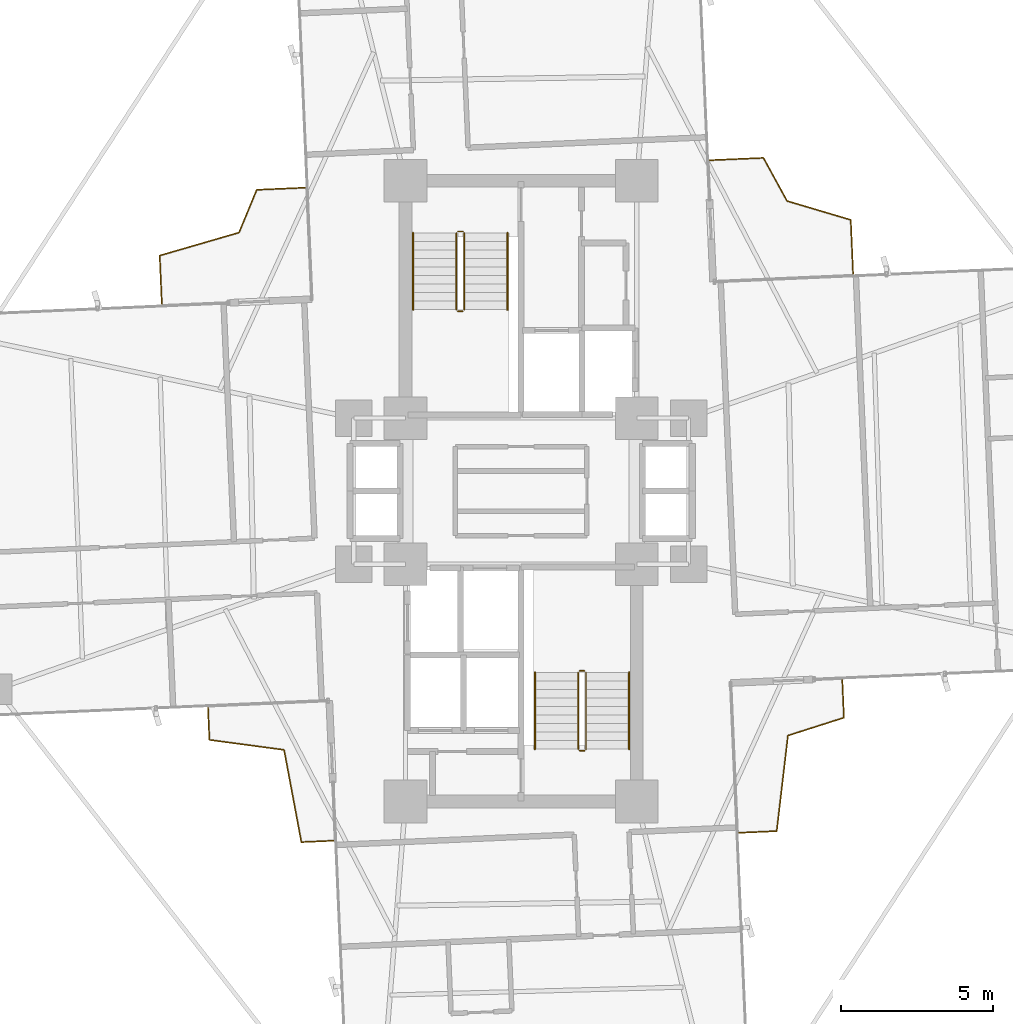
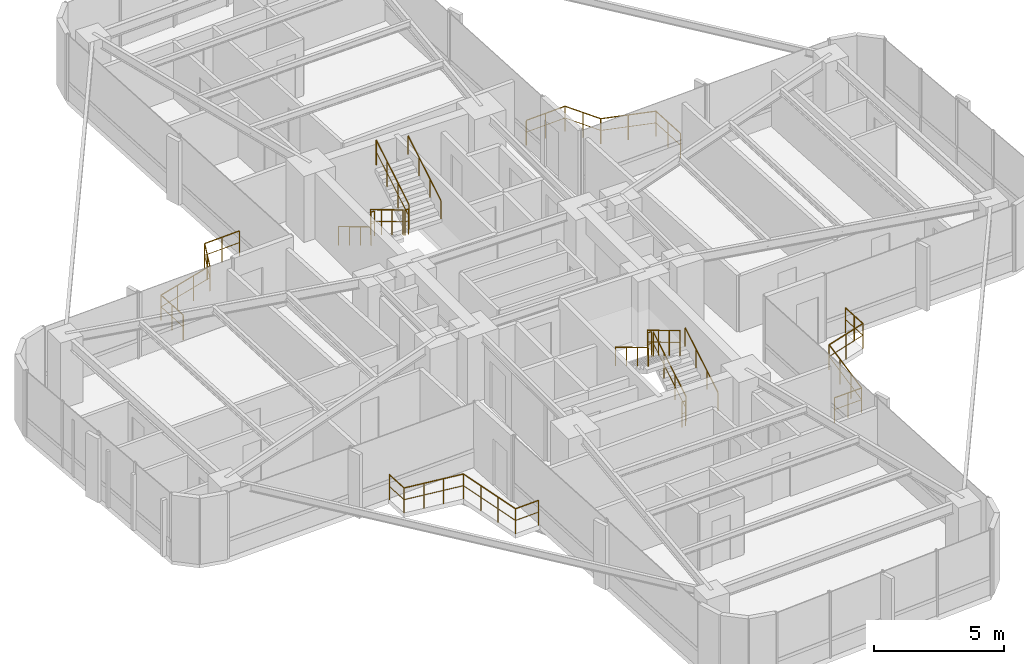
# One storey, part 26 of 26: 16 railings.
"""IFC4 building model written with IfcOpenShell, lengths in metres."""

from ifc_helpers import new_model, si_unit, direction, frame, origin, origin_2d, place, context, subcontext, project, spatial, circle, extrude, material, type_object, element, save


model = new_model("IFC4")

# Units and contexts
model_context = context("Model", 3, precision=1e-05, world=origin(), true_north=direction((0.0, 1.0)))
body_context = subcontext(model_context, "Body", "Model", "MODEL_VIEW")
ifc_project = project(units=[si_unit("LENGTHUNIT", "METRE"), si_unit("AREAUNIT", "SQUARE_METRE"), si_unit("VOLUMEUNIT", "CUBIC_METRE"), si_unit("PLANEANGLEUNIT", "RADIAN"), si_unit("MASSUNIT", "GRAM", prefix="KILO")], contexts=[model_context])

# Site, building, storey
site_placement = place(None, origin())
site = spatial("IfcSite", under=ifc_project, at=site_placement, CompositionType="ELEMENT")
building_placement = place(site_placement, origin())
building = spatial("IfcBuilding", under=site, at=building_placement, Name="Sahyath Konkavel Grand Hotel", CompositionType="ELEMENT")
storey_placement = place(building_placement, frame((0.0, 0.0, 124.85009765625)))
storey = spatial("IfcBuildingStorey", under=building, at=storey_placement, Name="L34", CompositionType="ELEMENT", Elevation=124.85009765625)

# Railings
ifc_material_1 = material(Name="Anodised Bronze Aluminium", Category="aluminium")
railing_type_1 = type_object("IfcRailingType", Name="RLG-BALC-1200", PredefinedType="GUARDRAIL", material=ifc_material_1)
railing_1_placement = place(storey_placement, frame((10.90673828125, 7.142578125, 0.0)))
element("IfcRailing", 1, at=railing_1_placement, inside=storey, type_object=railing_type_1, Name="L34 Winter-Garden Guard NE", PredefinedType="GUARDRAIL", context=body_context, shape_type="SweptSolid", body=[
    extrude(circle(Radius=0.02392578125, at=origin_2d()), frame((0.0, 0.001953125, 1.17578125), z_axis=(-0.043544864183, 0.999051472549, 0.0), x_axis=(-0.999051472549, -0.043544864183, 0.0)), (0.0, 0.0, 1.0), 1.767578125),
    extrude(circle(Radius=0.01416015625, at=origin_2d()), frame((0.0, 0.001953125, 0.6240234375), z_axis=(-0.043544864183, 0.999051472549, 0.0), x_axis=(-0.999051472549, -0.043544864183, 0.0)), (0.0, 0.0, 1.0), 1.767578125),
    extrude(circle(Radius=0.02392578125, at=origin_2d()), frame((-0.0791015625, 1.7705078125, 1.17578125), z_axis=(-0.95862875254, 0.284659296007, 0.0), x_axis=(-0.284659296007, -0.95862875254, 0.0)), (0.0, 0.0, 1.0), 2.1796875),
    extrude(circle(Radius=0.01416015625, at=origin_2d()), frame((-0.0791015625, 1.7705078125, 0.6240234375), z_axis=(-0.95862875254, 0.284659296007, 0.0), x_axis=(-0.284659296007, -0.95862875254, 0.0)), (0.0, 0.0, 1.0), 2.1796875),
    extrude(circle(Radius=0.02392578125, at=origin_2d()), frame((-2.17138671875, 2.393310546875, 1.17578125), z_axis=(-0.480070731667, 0.877229783236, 0.0), x_axis=(-0.877229783236, -0.480070731667, 0.0)), (0.0, 0.0, 1.0), 1.609619140625),
    extrude(circle(Radius=0.01416015625, at=origin_2d()), frame((-2.17138671875, 2.393310546875, 0.6240234375), z_axis=(-0.480070731667, 0.877229783236, 0.0), x_axis=(-0.877229783236, -0.480070731667, 0.0)), (0.0, 0.0, 1.0), 1.609619140625),
    extrude(circle(Radius=0.02392578125, at=origin_2d()), frame((-2.947021484375, 3.80712890625, 1.17578125), z_axis=(-0.999045468319, -0.043682401856, 0.0), x_axis=(0.043682401856, -0.999045468319, 0.0)), (0.0, 0.0, 1.0), 1.767822265625),
    extrude(circle(Radius=0.01416015625, at=origin_2d()), frame((-2.947021484375, 3.80712890625, 0.6240234375), z_axis=(-0.999045468319, -0.043682401856, 0.0), x_axis=(0.043682401856, -0.999045468319, 0.0)), (0.0, 0.0, 1.0), 1.767822265625),
    extrude(circle(Radius=0.02099609375, at=origin_2d()), origin(), (0.0, 0.0, 1.0), 1.15185546875),
    extrude(circle(Radius=0.02099609375, at=origin_2d()), frame((-0.03857421875, 0.885009765625, 0.0)), (0.0, 0.0, 1.0), 1.15185546875),
    extrude(circle(Radius=0.02099609375, at=origin_2d()), frame((-0.0771484375, 1.77001953125, 0.0)), (0.0, 0.0, 1.0), 1.15185546875),
    extrude(circle(Radius=0.02099609375, at=origin_2d()), frame((-1.123779296875, 2.080810546875, 0.0)), (0.0, 0.0, 1.0), 1.15185546875),
    extrude(circle(Radius=0.02099609375, at=origin_2d()), frame((-2.17041015625, 2.3916015625, 0.0)), (0.0, 0.0, 1.0), 1.15185546875),
    extrude(circle(Radius=0.02099609375, at=origin_2d()), frame((-2.5576171875, 3.099365234375, 0.0)), (0.0, 0.0, 1.0), 1.15185546875),
    extrude(circle(Radius=0.02099609375, at=origin_2d()), frame((-2.945068359375, 3.80712890625, 0.0)), (0.0, 0.0, 1.0), 1.15185546875),
    extrude(circle(Radius=0.02099609375, at=origin_2d()), frame((-3.830078125, 3.7685546875, 0.0)), (0.0, 0.0, 1.0), 1.15185546875),
    extrude(circle(Radius=0.02099609375, at=origin_2d()), frame((-4.715087890625, 3.729736328125, 0.0)), (0.0, 0.0, 1.0), 1.15185546875),
])
railing_2_placement = place(storey_placement, frame((-7.101806640625, 9.970703125, 0.0)))
element("IfcRailing", 2, at=railing_2_placement, inside=storey, type_object=railing_type_1, Name="L34 Winter-Garden Guard NW", PredefinedType="GUARDRAIL", context=body_context, shape_type="SweptSolid", body=[
    extrude(circle(Radius=0.02392578125, at=origin_2d()), frame((-0.001953125, 0.0, 1.17578125), z_axis=(-0.999048902276, -0.043603794106, 0.0), x_axis=(0.043603794106, -0.999048902276, 0.0)), (0.0, 0.0, 1.0), 1.586181640625),
    extrude(circle(Radius=0.01416015625, at=origin_2d()), frame((-0.001953125, 0.0, 0.6240234375), z_axis=(-0.999048902276, -0.043603794106, 0.0), x_axis=(0.043603794106, -0.999048902276, 0.0)), (0.0, 0.0, 1.0), 1.586181640625),
    extrude(circle(Radius=0.02392578125, at=origin_2d()), frame((-1.58935546875, -0.0712890625, 1.17578125), z_axis=(-0.381992632439, -0.924165368732, 0.0), x_axis=(0.924165368732, -0.381992632439, 0.0)), (0.0, 0.0, 1.0), 1.51708984375),
    extrude(circle(Radius=0.01416015625, at=origin_2d()), frame((-1.58935546875, -0.0712890625, 0.6240234375), z_axis=(-0.381992632439, -0.924165368732, 0.0), x_axis=(0.924165368732, -0.381992632439, 0.0)), (0.0, 0.0, 1.0), 1.51708984375),
    extrude(circle(Radius=0.02392578125, at=origin_2d()), frame((-2.171630859375, -1.4755859375, 1.17578125), z_axis=(-0.960406033655, -0.278604110737, 0.0), x_axis=(0.278604110737, -0.960406033655, 0.0)), (0.0, 0.0, 1.0), 2.7099609375),
    extrude(circle(Radius=0.01416015625, at=origin_2d()), frame((-2.171630859375, -1.4755859375, 0.6240234375), z_axis=(-0.960406033655, -0.278604110737, 0.0), x_axis=(0.278604110737, -0.960406033655, 0.0)), (0.0, 0.0, 1.0), 2.7099609375),
    extrude(circle(Radius=0.02392578125, at=origin_2d()), frame((-4.776123046875, -2.233154296875, 1.17578125), z_axis=(0.043603794106, -0.999048902276, 0.0), x_axis=(0.999048902276, 0.043603794106, 0.0)), (0.0, 0.0, 1.0), 1.586181640625),
    extrude(circle(Radius=0.01416015625, at=origin_2d()), frame((-4.776123046875, -2.233154296875, 0.6240234375), z_axis=(0.043603794106, -0.999048902276, 0.0), x_axis=(0.999048902276, 0.043603794106, 0.0)), (0.0, 0.0, 1.0), 1.586181640625),
    extrude(circle(Radius=0.02099609375, at=origin_2d()), origin(), (0.0, 0.0, 1.0), 1.15185546875),
    extrude(circle(Radius=0.02099609375, at=origin_2d()), frame((-0.79443359375, -0.03466796875, 0.0)), (0.0, 0.0, 1.0), 1.15185546875),
    extrude(circle(Radius=0.02099609375, at=origin_2d()), frame((-1.588623046875, -0.0693359375, 0.0)), (0.0, 0.0, 1.0), 1.15185546875),
    extrude(circle(Radius=0.02099609375, at=origin_2d()), frame((-1.879150390625, -0.772216796875, 0.0)), (0.0, 0.0, 1.0), 1.15185546875),
    extrude(circle(Radius=0.02099609375, at=origin_2d()), frame((-2.169677734375, -1.47509765625, 0.0)), (0.0, 0.0, 1.0), 1.15185546875),
    extrude(circle(Radius=0.02099609375, at=origin_2d()), frame((-3.03857421875, -1.72705078125, 0.0)), (0.0, 0.0, 1.0), 1.15185546875),
    extrude(circle(Radius=0.02099609375, at=origin_2d()), frame((-3.9072265625, -1.979248046875, 0.0)), (0.0, 0.0, 1.0), 1.15185546875),
    extrude(circle(Radius=0.02099609375, at=origin_2d()), frame((-4.776123046875, -2.231201171875, 0.0)), (0.0, 0.0, 1.0), 1.15185546875),
    extrude(circle(Radius=0.02099609375, at=origin_2d()), frame((-4.741455078125, -3.025390625, 0.0)), (0.0, 0.0, 1.0), 1.15185546875),
    extrude(circle(Radius=0.02099609375, at=origin_2d()), frame((-4.706787109375, -3.81982421875, 0.0)), (0.0, 0.0, 1.0), 1.15185546875),
])
railing_3_placement = place(storey_placement, frame((-10.29150390625, -7.11572265625, 0.0)))
element("IfcRailing", 3, at=railing_3_placement, inside=storey, type_object=railing_type_1, Name="L34 Winter-Garden Guard SW", PredefinedType="GUARDRAIL", context=body_context, shape_type="SweptSolid", body=[
    extrude(circle(Radius=0.02392578125, at=origin_2d()), frame((0.0, -0.001953125, 1.17578125), z_axis=(0.04374696985, -0.999042643048, 0.0), x_axis=(0.999042643048, 0.04374696985, 0.0)), (0.0, 0.0, 1.0), 1.056396484375),
    extrude(circle(Radius=0.01416015625, at=origin_2d()), frame((0.0, -0.001953125, 0.6240234375), z_axis=(0.04374696985, -0.999042643048, 0.0), x_axis=(0.999042643048, 0.04374696985, 0.0)), (0.0, 0.0, 1.0), 1.056396484375),
    extrude(circle(Radius=0.02392578125, at=origin_2d()), frame((0.04833984375, -1.0595703125, 1.17578125), z_axis=(0.991130264974, -0.132893934593, 0.0), x_axis=(0.132893934593, 0.991130264974, 0.0)), (0.0, 0.0, 1.0), 2.470703125),
    extrude(circle(Radius=0.01416015625, at=origin_2d()), frame((0.04833984375, -1.0595703125, 0.6240234375), z_axis=(0.991130264974, -0.132893934593, 0.0), x_axis=(0.132893934593, 0.991130264974, 0.0)), (0.0, 0.0, 1.0), 2.470703125),
    extrude(circle(Radius=0.02392578125, at=origin_2d()), frame((2.49951171875, -1.39013671875, 1.17578125), z_axis=(0.184345907514, -0.982861427864, 0.0), x_axis=(0.982861427864, 0.184345907514, 0.0)), (0.0, 0.0, 1.0), 3.0791015625),
    extrude(circle(Radius=0.01416015625, at=origin_2d()), frame((2.49951171875, -1.39013671875, 0.6240234375), z_axis=(0.184345907514, -0.982861427864, 0.0), x_axis=(0.982861427864, 0.184345907514, 0.0)), (0.0, 0.0, 1.0), 3.0791015625),
    extrude(circle(Radius=0.02392578125, at=origin_2d()), frame((3.0693359375, -4.41845703125, 1.17578125), z_axis=(0.999042643048, 0.04374696985, 0.0), x_axis=(-0.04374696985, 0.999042643048, 0.0)), (0.0, 0.0, 1.0), 1.056396484375),
    extrude(circle(Radius=0.01416015625, at=origin_2d()), frame((3.0693359375, -4.41845703125, 0.6240234375), z_axis=(0.999042643048, 0.04374696985, 0.0), x_axis=(-0.04374696985, 0.999042643048, 0.0)), (0.0, 0.0, 1.0), 1.056396484375),
    extrude(circle(Radius=0.02099609375, at=origin_2d()), origin(), (0.0, 0.0, 1.0), 1.15185546875),
    extrude(circle(Radius=0.02099609375, at=origin_2d()), frame((0.04638671875, -1.059326171875, 0.0)), (0.0, 0.0, 1.0), 1.15185546875),
    extrude(circle(Radius=0.02099609375, at=origin_2d()), frame((0.864013671875, -1.1689453125, 0.0)), (0.0, 0.0, 1.0), 1.15185546875),
    extrude(circle(Radius=0.02099609375, at=origin_2d()), frame((1.681396484375, -1.278564453125, 0.0)), (0.0, 0.0, 1.0), 1.15185546875),
    extrude(circle(Radius=0.02099609375, at=origin_2d()), frame((2.4990234375, -1.38818359375, 0.0)), (0.0, 0.0, 1.0), 1.15185546875),
    extrude(circle(Radius=0.02099609375, at=origin_2d()), frame((2.6884765625, -2.398193359375, 0.0)), (0.0, 0.0, 1.0), 1.15185546875),
    extrude(circle(Radius=0.02099609375, at=origin_2d()), frame((2.8779296875, -3.408447265625, 0.0)), (0.0, 0.0, 1.0), 1.15185546875),
    extrude(circle(Radius=0.02099609375, at=origin_2d()), frame((3.0673828125, -4.41845703125, 0.0)), (0.0, 0.0, 1.0), 1.15185546875),
    extrude(circle(Radius=0.02099609375, at=origin_2d()), frame((4.126708984375, -4.3720703125, 0.0)), (0.0, 0.0, 1.0), 1.15185546875),
])
railing_4_placement = place(storey_placement, frame((7.156494140625, -11.2275390625, 0.0)))
element("IfcRailing", 4, at=railing_4_placement, inside=storey, type_object=railing_type_1, Name="L34 Winter-Garden Guard SE", PredefinedType="GUARDRAIL", context=body_context, shape_type="SweptSolid", body=[
    extrude(circle(Radius=0.02392578125, at=origin_2d()), frame((0.001953125, 0.0, 1.17578125), z_axis=(0.999047235392, 0.04364196896, 0.0), x_axis=(-0.04364196896, 0.999047235392, 0.0)), (0.0, 0.0, 1.0), 1.23779296875),
    extrude(circle(Radius=0.01416015625, at=origin_2d()), frame((0.001953125, 0.0, 0.6240234375), z_axis=(0.999047235392, 0.04364196896, 0.0), x_axis=(-0.04364196896, 0.999047235392, 0.0)), (0.0, 0.0, 1.0), 1.23779296875),
    extrude(circle(Radius=0.02392578125, at=origin_2d()), frame((1.240966796875, 0.05615234375, 1.17578125), z_axis=(0.116827807229, 0.993152185447, 0.0), x_axis=(-0.993152185447, 0.116827807229, 0.0)), (0.0, 0.0, 1.0), 3.15771484375),
    extrude(circle(Radius=0.01416015625, at=origin_2d()), frame((1.240966796875, 0.05615234375, 0.6240234375), z_axis=(0.116827807229, 0.993152185447, 0.0), x_axis=(-0.993152185447, 0.116827807229, 0.0)), (0.0, 0.0, 1.0), 3.15771484375),
    extrude(circle(Radius=0.02392578125, at=origin_2d()), frame((1.612060546875, 3.19482421875, 1.17578125), z_axis=(0.952676353743, 0.303986455322, 0.0), x_axis=(-0.303986455322, 0.952676353743, 0.0)), (0.0, 0.0, 1.0), 1.9267578125),
    extrude(circle(Radius=0.01416015625, at=origin_2d()), frame((1.612060546875, 3.19482421875, 0.6240234375), z_axis=(0.952676353743, 0.303986455322, 0.0), x_axis=(-0.303986455322, 0.952676353743, 0.0)), (0.0, 0.0, 1.0), 1.9267578125),
    extrude(circle(Radius=0.02392578125, at=origin_2d()), frame((3.449462890625, 3.783203125, 1.17578125), z_axis=(-0.04364196896, 0.999047235392, 0.0), x_axis=(-0.999047235392, -0.04364196896, 0.0)), (0.0, 0.0, 1.0), 1.23779296875),
    extrude(circle(Radius=0.01416015625, at=origin_2d()), frame((3.449462890625, 3.783203125, 0.6240234375), z_axis=(-0.04364196896, 0.999047235392, 0.0), x_axis=(-0.999047235392, -0.04364196896, 0.0)), (0.0, 0.0, 1.0), 1.23779296875),
    extrude(circle(Radius=0.02099609375, at=origin_2d()), origin(), (0.0, 0.0, 1.0), 1.15185546875),
    extrude(circle(Radius=0.02099609375, at=origin_2d()), frame((0.620361328125, 0.027099609375, 0.0)), (0.0, 0.0, 1.0), 1.15185546875),
    extrude(circle(Radius=0.02099609375, at=origin_2d()), frame((1.24072265625, 0.05419921875, 0.0)), (0.0, 0.0, 1.0), 1.15185546875),
    extrude(circle(Radius=0.02099609375, at=origin_2d()), frame((1.36376953125, 1.100830078125, 0.0)), (0.0, 0.0, 1.0), 1.15185546875),
    extrude(circle(Radius=0.02099609375, at=origin_2d()), frame((1.487060546875, 2.147705078125, 0.0)), (0.0, 0.0, 1.0), 1.15185546875),
    extrude(circle(Radius=0.02099609375, at=origin_2d()), frame((1.610107421875, 3.1943359375, 0.0)), (0.0, 0.0, 1.0), 1.15185546875),
    extrude(circle(Radius=0.02099609375, at=origin_2d()), frame((2.52978515625, 3.48779296875, 0.0)), (0.0, 0.0, 1.0), 1.15185546875),
    extrude(circle(Radius=0.02099609375, at=origin_2d()), frame((3.449462890625, 3.78125, 0.0)), (0.0, 0.0, 1.0), 1.15185546875),
    extrude(circle(Radius=0.02099609375, at=origin_2d()), frame((3.42236328125, 4.401611328125, 0.0)), (0.0, 0.0, 1.0), 1.15185546875),
    extrude(circle(Radius=0.02099609375, at=origin_2d()), frame((3.395263671875, 5.02197265625, 0.0)), (0.0, 0.0, 1.0), 1.15185546875),
])
ifc_material_2 = material(Name="Steel E350", Category="steel")
railing_type_2 = type_object("IfcRailingType", Name="RLG-STAIR-GRD", PredefinedType="GUARDRAIL", material=ifc_material_2)
railing_5_placement = place(storey_placement, frame((-2.1298828125, 8.47998046875, 0.16748046875)))
element("IfcRailing", 5, at=railing_5_placement, inside=storey, type_object=railing_type_2, Name="L34 ST-1 stair guard 1", PredefinedType="GUARDRAIL", context=body_context, shape_type="SweptSolid", body=[
    extrude(circle(Radius=0.02392578125, at=origin_2d()), frame((0.0, -0.001708984375, 1.177001953125), z_axis=(0.0, -0.858196387827, 0.513321497621), x_axis=(1.0, 0.0, 0.0)), (0.0, 0.0, 1.0), 2.932373046875),
    extrude(circle(Radius=0.01416015625, at=origin_2d()), frame((0.0, -0.001708984375, 0.625), z_axis=(0.0, -0.858196387827, 0.513321497621), x_axis=(1.0, 0.0, 0.0)), (0.0, 0.0, 1.0), 2.932373046875),
    extrude(circle(Radius=0.02099609375, at=origin_2d()), origin(), (0.0, 0.0, 1.0), 1.15185546875),
    extrude(circle(Radius=0.02099609375, at=origin_2d()), frame((0.0, -0.840087890625, 0.50244140625)), (0.0, 0.0, 1.0), 1.15185546875),
    extrude(circle(Radius=0.02099609375, at=origin_2d()), frame((0.0, -1.679931640625, 1.0048828125)), (0.0, 0.0, 1.0), 1.15185546875),
    extrude(circle(Radius=0.02099609375, at=origin_2d()), frame((0.0, -2.52001953125, 1.50732421875)), (0.0, 0.0, 1.0), 1.15185546875),
])
railing_6_placement = place(storey_placement, frame((-2.080078125, 5.909912109375, 1.6748046875)))
element("IfcRailing", 6, at=railing_6_placement, inside=storey, type_object=railing_type_2, Name="L34 ST-1 stair guard 2", PredefinedType="GUARDRAIL", context=body_context, shape_type="SweptSolid", body=[
    extrude(circle(Radius=0.02392578125, at=origin_2d()), frame((0.001953125, 0.0, 1.17578125), z_axis=(1.0, 0.0, 0.0), x_axis=(0.0, 1.0, 0.0)), (0.0, 0.0, 1.0), 0.15625),
    extrude(circle(Radius=0.01416015625, at=origin_2d()), frame((0.001953125, 0.0, 0.6240234375), z_axis=(1.0, 0.0, 0.0), x_axis=(0.0, 1.0, 0.0)), (0.0, 0.0, 1.0), 0.15625),
    extrude(circle(Radius=0.02099609375, at=origin_2d()), origin(), (0.0, 0.0, 1.0), 1.15185546875),
    extrude(circle(Radius=0.02099609375, at=origin_2d()), frame((0.16015625, 0.0, 0.0)), (0.0, 0.0, 1.0), 1.15185546875),
])
railing_7_placement = place(storey_placement, frame((-1.8701171875, 5.9599609375, 1.84228515625)))
element("IfcRailing", 7, at=railing_7_placement, inside=storey, type_object=railing_type_2, Name="L34 ST-1 stair guard 3", PredefinedType="GUARDRAIL", context=body_context, shape_type="SweptSolid", body=[
    extrude(circle(Radius=0.02392578125, at=origin_2d()), frame((0.0, 0.001708984375, 1.177001953125), z_axis=(0.0, 0.858159760407, 0.513382728203), x_axis=(-1.0, 0.0, 0.0)), (0.0, 0.0, 1.0), 2.9326171875),
    extrude(circle(Radius=0.01416015625, at=origin_2d()), frame((0.0, 0.001708984375, 0.625), z_axis=(0.0, 0.858159760407, 0.513382728203), x_axis=(-1.0, 0.0, 0.0)), (0.0, 0.0, 1.0), 2.9326171875),
    extrude(circle(Radius=0.02099609375, at=origin_2d()), origin(), (0.0, 0.0, 1.0), 1.15185546875),
    extrude(circle(Radius=0.02099609375, at=origin_2d()), frame((0.0, 0.840087890625, 0.50244140625)), (0.0, 0.0, 1.0), 1.15185546875),
    extrude(circle(Radius=0.02099609375, at=origin_2d()), frame((0.0, 1.679931640625, 1.005126953125)), (0.0, 0.0, 1.0), 1.15185546875),
    extrude(circle(Radius=0.02099609375, at=origin_2d()), frame((0.0, 2.52001953125, 1.507568359375)), (0.0, 0.0, 1.0), 1.15185546875),
])
railing_8_placement = place(storey_placement, frame((-2.080078125, 8.530029296875, 0.0)))
element("IfcRailing", 8, at=railing_8_placement, inside=storey, type_object=railing_type_2, Name="L34 ST-1 stair guard 4", PredefinedType="GUARDRAIL", context=body_context, shape_type="SweptSolid", body=[
    extrude(circle(Radius=0.02392578125, at=origin_2d()), frame((0.001953125, 0.0, 1.17578125), z_axis=(1.0, 0.0, 0.0), x_axis=(0.0, 1.0, 0.0)), (0.0, 0.0, 1.0), 0.15625),
    extrude(circle(Radius=0.01416015625, at=origin_2d()), frame((0.001953125, 0.0, 0.6240234375), z_axis=(1.0, 0.0, 0.0), x_axis=(0.0, 1.0, 0.0)), (0.0, 0.0, 1.0), 0.15625),
    extrude(circle(Radius=0.02099609375, at=origin_2d()), origin(), (0.0, 0.0, 1.0), 1.15185546875),
    extrude(circle(Radius=0.02099609375, at=origin_2d()), frame((0.16015625, 0.0, 0.0)), (0.0, 0.0, 1.0), 1.15185546875),
])
railing_9_placement = place(storey_placement, frame((2.1298828125, -8.47998046875, 0.16748046875)))
element("IfcRailing", 9, at=railing_9_placement, inside=storey, type_object=railing_type_2, Name="L34 ST-2 stair guard 1", PredefinedType="GUARDRAIL", context=body_context, shape_type="SweptSolid", body=[
    extrude(circle(Radius=0.02392578125, at=origin_2d()), frame((0.0, 0.001708984375, 1.177001953125), z_axis=(0.0, 0.858196387827, 0.513321497621), x_axis=(-1.0, 0.0, 0.0)), (0.0, 0.0, 1.0), 2.932373046875),
    extrude(circle(Radius=0.01416015625, at=origin_2d()), frame((0.0, 0.001708984375, 0.625), z_axis=(0.0, 0.858196387827, 0.513321497621), x_axis=(-1.0, 0.0, 0.0)), (0.0, 0.0, 1.0), 2.932373046875),
    extrude(circle(Radius=0.02099609375, at=origin_2d()), origin(), (0.0, 0.0, 1.0), 1.15185546875),
    extrude(circle(Radius=0.02099609375, at=origin_2d()), frame((0.0, 0.840087890625, 0.50244140625)), (0.0, 0.0, 1.0), 1.15185546875),
    extrude(circle(Radius=0.02099609375, at=origin_2d()), frame((0.0, 1.679931640625, 1.0048828125)), (0.0, 0.0, 1.0), 1.15185546875),
    extrude(circle(Radius=0.02099609375, at=origin_2d()), frame((0.0, 2.52001953125, 1.50732421875)), (0.0, 0.0, 1.0), 1.15185546875),
])
railing_10_placement = place(storey_placement, frame((2.080078125, -5.909912109375, 1.6748046875)))
element("IfcRailing", 10, at=railing_10_placement, inside=storey, type_object=railing_type_2, Name="L34 ST-2 stair guard 2", PredefinedType="GUARDRAIL", context=body_context, shape_type="SweptSolid", body=[
    extrude(circle(Radius=0.02392578125, at=origin_2d()), frame((-0.001953125, 0.0, 1.17578125), z_axis=(-1.0, 0.0, 0.0), x_axis=(0.0, -1.0, 0.0)), (0.0, 0.0, 1.0), 0.15625),
    extrude(circle(Radius=0.01416015625, at=origin_2d()), frame((-0.001953125, 0.0, 0.6240234375), z_axis=(-1.0, 0.0, 0.0), x_axis=(0.0, -1.0, 0.0)), (0.0, 0.0, 1.0), 0.15625),
    extrude(circle(Radius=0.02099609375, at=origin_2d()), origin(), (0.0, 0.0, 1.0), 1.15185546875),
    extrude(circle(Radius=0.02099609375, at=origin_2d()), frame((-0.16015625, 0.0, 0.0)), (0.0, 0.0, 1.0), 1.15185546875),
])
railing_11_placement = place(storey_placement, frame((1.8701171875, -5.9599609375, 1.84228515625)))
element("IfcRailing", 11, at=railing_11_placement, inside=storey, type_object=railing_type_2, Name="L34 ST-2 stair guard 3", PredefinedType="GUARDRAIL", context=body_context, shape_type="SweptSolid", body=[
    extrude(circle(Radius=0.02392578125, at=origin_2d()), frame((0.0, -0.001708984375, 1.177001953125), z_axis=(0.0, -0.858159760407, 0.513382728203), x_axis=(1.0, 0.0, 0.0)), (0.0, 0.0, 1.0), 2.9326171875),
    extrude(circle(Radius=0.01416015625, at=origin_2d()), frame((0.0, -0.001708984375, 0.625), z_axis=(0.0, -0.858159760407, 0.513382728203), x_axis=(1.0, 0.0, 0.0)), (0.0, 0.0, 1.0), 2.9326171875),
    extrude(circle(Radius=0.02099609375, at=origin_2d()), origin(), (0.0, 0.0, 1.0), 1.15185546875),
    extrude(circle(Radius=0.02099609375, at=origin_2d()), frame((0.0, -0.840087890625, 0.50244140625)), (0.0, 0.0, 1.0), 1.15185546875),
    extrude(circle(Radius=0.02099609375, at=origin_2d()), frame((0.0, -1.679931640625, 1.005126953125)), (0.0, 0.0, 1.0), 1.15185546875),
    extrude(circle(Radius=0.02099609375, at=origin_2d()), frame((0.0, -2.52001953125, 1.507568359375)), (0.0, 0.0, 1.0), 1.15185546875),
])
railing_12_placement = place(storey_placement, frame((2.080078125, -8.530029296875, 0.0)))
element("IfcRailing", 12, at=railing_12_placement, inside=storey, type_object=railing_type_2, Name="L34 ST-2 stair guard 4", PredefinedType="GUARDRAIL", context=body_context, shape_type="SweptSolid", body=[
    extrude(circle(Radius=0.02392578125, at=origin_2d()), frame((-0.001953125, 0.0, 1.17578125), z_axis=(-1.0, 0.0, 0.0), x_axis=(0.0, -1.0, 0.0)), (0.0, 0.0, 1.0), 0.15625),
    extrude(circle(Radius=0.01416015625, at=origin_2d()), frame((-0.001953125, 0.0, 0.6240234375), z_axis=(-1.0, 0.0, 0.0), x_axis=(0.0, -1.0, 0.0)), (0.0, 0.0, 1.0), 0.15625),
    extrude(circle(Radius=0.02099609375, at=origin_2d()), origin(), (0.0, 0.0, 1.0), 1.15185546875),
    extrude(circle(Radius=0.02099609375, at=origin_2d()), frame((-0.16015625, 0.0, 0.0)), (0.0, 0.0, 1.0), 1.15185546875),
])
railing_type_3 = type_object("IfcRailingType", Name="RLG-STAIR-HND", PredefinedType="HANDRAIL", material=ifc_material_1)
railing_13_placement = place(storey_placement, frame((-3.550048828125, 8.47998046875, 0.16748046875)))
element("IfcRailing", 13, at=railing_13_placement, inside=storey, type_object=railing_type_3, Name="L34 ST-1 stair handrail 1", PredefinedType="HANDRAIL", context=body_context, shape_type="SweptSolid", body=[
    extrude(circle(Radius=0.02392578125, at=origin_2d()), frame((0.0, -0.001708984375, 0.876953125), z_axis=(0.0, -0.858196387827, 0.513321497621), x_axis=(1.0, 0.0, 0.0)), (0.0, 0.0, 1.0), 2.932373046875),
    extrude(circle(Radius=0.02099609375, at=origin_2d()), origin(), (0.0, 0.0, 1.0), 0.851806640625),
    extrude(circle(Radius=0.02099609375, at=origin_2d()), frame((0.0, -0.840087890625, 0.50244140625)), (0.0, 0.0, 1.0), 0.851806640625),
    extrude(circle(Radius=0.02099609375, at=origin_2d()), frame((0.0, -1.679931640625, 1.0048828125)), (0.0, 0.0, 1.0), 0.851806640625),
    extrude(circle(Radius=0.02099609375, at=origin_2d()), frame((0.0, -2.52001953125, 1.50732421875)), (0.0, 0.0, 1.0), 0.851806640625),
])
railing_14_placement = place(storey_placement, frame((-0.449951171875, 5.9599609375, 1.84228515625)))
element("IfcRailing", 14, at=railing_14_placement, inside=storey, type_object=railing_type_3, Name="L34 ST-1 stair handrail 2", PredefinedType="HANDRAIL", context=body_context, shape_type="SweptSolid", body=[
    extrude(circle(Radius=0.02392578125, at=origin_2d()), frame((0.0, 0.001708984375, 0.876953125), z_axis=(0.0, 0.858159760407, 0.513382728203), x_axis=(-1.0, 0.0, 0.0)), (0.0, 0.0, 1.0), 2.9326171875),
    extrude(circle(Radius=0.02099609375, at=origin_2d()), origin(), (0.0, 0.0, 1.0), 0.851806640625),
    extrude(circle(Radius=0.02099609375, at=origin_2d()), frame((0.0, 0.840087890625, 0.50244140625)), (0.0, 0.0, 1.0), 0.851806640625),
    extrude(circle(Radius=0.02099609375, at=origin_2d()), frame((0.0, 1.679931640625, 1.005126953125)), (0.0, 0.0, 1.0), 0.851806640625),
    extrude(circle(Radius=0.02099609375, at=origin_2d()), frame((0.0, 2.52001953125, 1.507568359375)), (0.0, 0.0, 1.0), 0.851806640625),
])
railing_15_placement = place(storey_placement, frame((3.550048828125, -8.47998046875, 0.16748046875)))
element("IfcRailing", 15, at=railing_15_placement, inside=storey, type_object=railing_type_3, Name="L34 ST-2 stair handrail 1", PredefinedType="HANDRAIL", context=body_context, shape_type="SweptSolid", body=[
    extrude(circle(Radius=0.02392578125, at=origin_2d()), frame((0.0, 0.001708984375, 0.876953125), z_axis=(0.0, 0.858196387827, 0.513321497621), x_axis=(-1.0, 0.0, 0.0)), (0.0, 0.0, 1.0), 2.932373046875),
    extrude(circle(Radius=0.02099609375, at=origin_2d()), origin(), (0.0, 0.0, 1.0), 0.851806640625),
    extrude(circle(Radius=0.02099609375, at=origin_2d()), frame((0.0, 0.840087890625, 0.50244140625)), (0.0, 0.0, 1.0), 0.851806640625),
    extrude(circle(Radius=0.02099609375, at=origin_2d()), frame((0.0, 1.679931640625, 1.0048828125)), (0.0, 0.0, 1.0), 0.851806640625),
    extrude(circle(Radius=0.02099609375, at=origin_2d()), frame((0.0, 2.52001953125, 1.50732421875)), (0.0, 0.0, 1.0), 0.851806640625),
])
railing_16_placement = place(storey_placement, frame((0.449951171875, -5.9599609375, 1.84228515625)))
element("IfcRailing", 16, at=railing_16_placement, inside=storey, type_object=railing_type_3, Name="L34 ST-2 stair handrail 2", PredefinedType="HANDRAIL", context=body_context, shape_type="SweptSolid", body=[
    extrude(circle(Radius=0.02392578125, at=origin_2d()), frame((0.0, -0.001708984375, 0.876953125), z_axis=(0.0, -0.858159760407, 0.513382728203), x_axis=(1.0, 0.0, 0.0)), (0.0, 0.0, 1.0), 2.9326171875),
    extrude(circle(Radius=0.02099609375, at=origin_2d()), origin(), (0.0, 0.0, 1.0), 0.851806640625),
    extrude(circle(Radius=0.02099609375, at=origin_2d()), frame((0.0, -0.840087890625, 0.50244140625)), (0.0, 0.0, 1.0), 0.851806640625),
    extrude(circle(Radius=0.02099609375, at=origin_2d()), frame((0.0, -1.679931640625, 1.005126953125)), (0.0, 0.0, 1.0), 0.851806640625),
    extrude(circle(Radius=0.02099609375, at=origin_2d()), frame((0.0, -2.52001953125, 1.507568359375)), (0.0, 0.0, 1.0), 0.851806640625),
])

save(model, "model.ifc")
